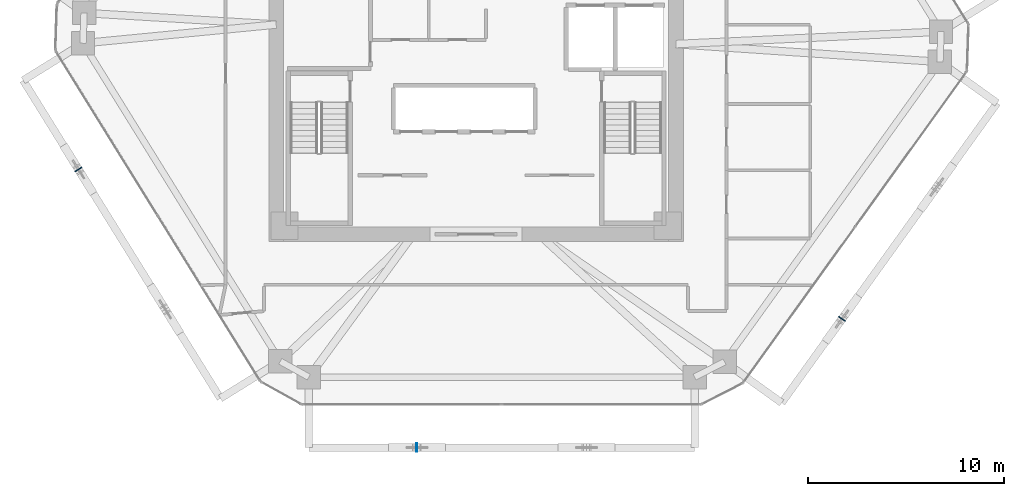
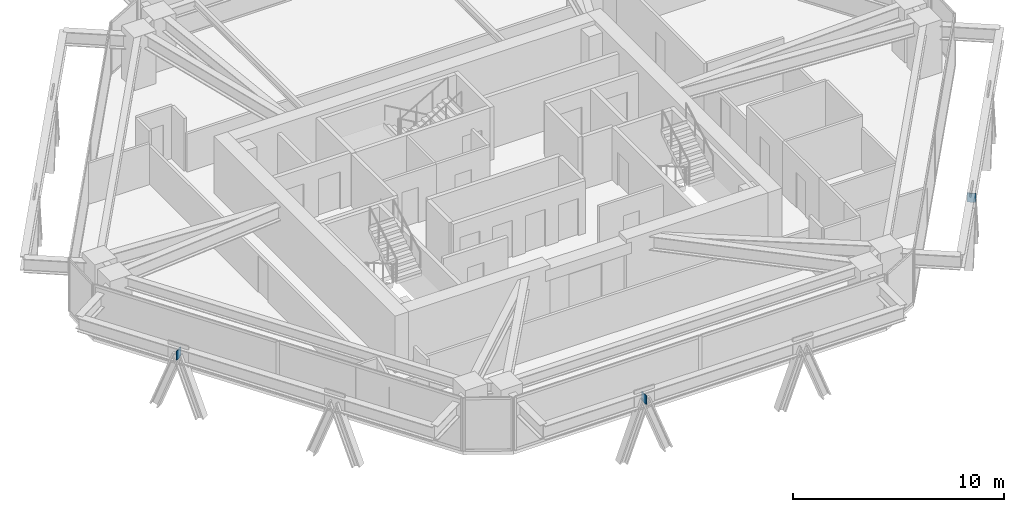
# One storey, part 10 of 15: 3 plates.
"""IFC4 building model written with IfcOpenShell, lengths in metres."""

from ifc_helpers import new_model, si_unit, direction, frame, origin, origin_2d, place, context, subcontext, project, spatial, rectangle, extrude, source, transform, mapped, material, layer, layer_set, type_object, type_shapes, element, save


model = new_model("IFC4")

# Units and contexts
model_context = context("Model", 3, precision=1e-05, world=origin(), true_north=direction((0.0, 1.0)))
body_context = subcontext(model_context, "Body", "Model", "MODEL_VIEW")
ifc_project = project(units=[si_unit("LENGTHUNIT", "METRE"), si_unit("AREAUNIT", "SQUARE_METRE"), si_unit("VOLUMEUNIT", "CUBIC_METRE"), si_unit("PLANEANGLEUNIT", "RADIAN"), si_unit("MASSUNIT", "GRAM", prefix="KILO")], contexts=[model_context])

# Site, building, storey
site_placement = place(None, origin())
site = spatial("IfcSite", under=ifc_project, at=site_placement, CompositionType="ELEMENT")
building_placement = place(site_placement, origin())
building = spatial("IfcBuilding", under=site, at=building_placement, Name="Durnholm Broadcast Tower", CompositionType="ELEMENT")
storey_placement = place(building_placement, frame((0.0, 0.0, 104.10009765625)))
storey = spatial("IfcBuildingStorey", under=building, at=storey_placement, Name="L27", CompositionType="ELEMENT", Elevation=104.10009765625)

# Plates
ifc_material = material(Name="Steel ASTM A572 Grade 50", Category="steel")
ifc_layer = layer(ifc_material, 0.044921875)
ifc_layer_set = layer_set([ifc_layer], Name="Steel ASTM A572 Grade 50")
plate_type = type_object("IfcPlateType", Name="PLT-KN-STIF", PredefinedType="SHEET", material=ifc_layer_set)
shared_shape = source(origin(), body_context, "Body", "SweptSolid", [
    extrude(rectangle(XDim=0.044921875, YDim=0.419921875, at=origin_2d()), origin(), (0.0, 0.0, 1.0), 0.52001953125),
])
type_shapes(plate_type, [shared_shape])
for number, where, z_axis, x_axis, name in (
    (1, (-3.028076171875, -19.136962890625, 2.048583984375), (0.0, 0.0, 1.0), (1.0, 0.0, 0.0), "L27 welded diagrid node stiffener plate F1"),
    (2, (18.71875, -12.556396484375, 2.048583984375), (0.0, 0.0, 1.0), (0.583399467156, 0.812185361677, 0.0), "L27 welded diagrid node stiffener plate F2"),
    (3, (-20.337158203125, -4.910400390625, 2.048583984375), (0.0, 0.0, 1.0), (0.527104121728, -0.849800708906, 0.0), "L27 welded diagrid node stiffener plate F6"),
):
    element("IfcPlate", number, at=place(storey_placement, frame(where, z_axis=z_axis, x_axis=x_axis)), inside=storey, type_object=plate_type, Name=name, PredefinedType="SHEET", context=body_context, shape_type="MappedRepresentation", body=[
        mapped(shared_shape, transform((0.0, 0.0, 0.0), x_axis=(1.0, 0.0, 0.0), y_axis=(0.0, 1.0, 0.0), z_axis=(0.0, 0.0, 1.0), scale=1.0)),
    ])

save(model, "model.ifc")
